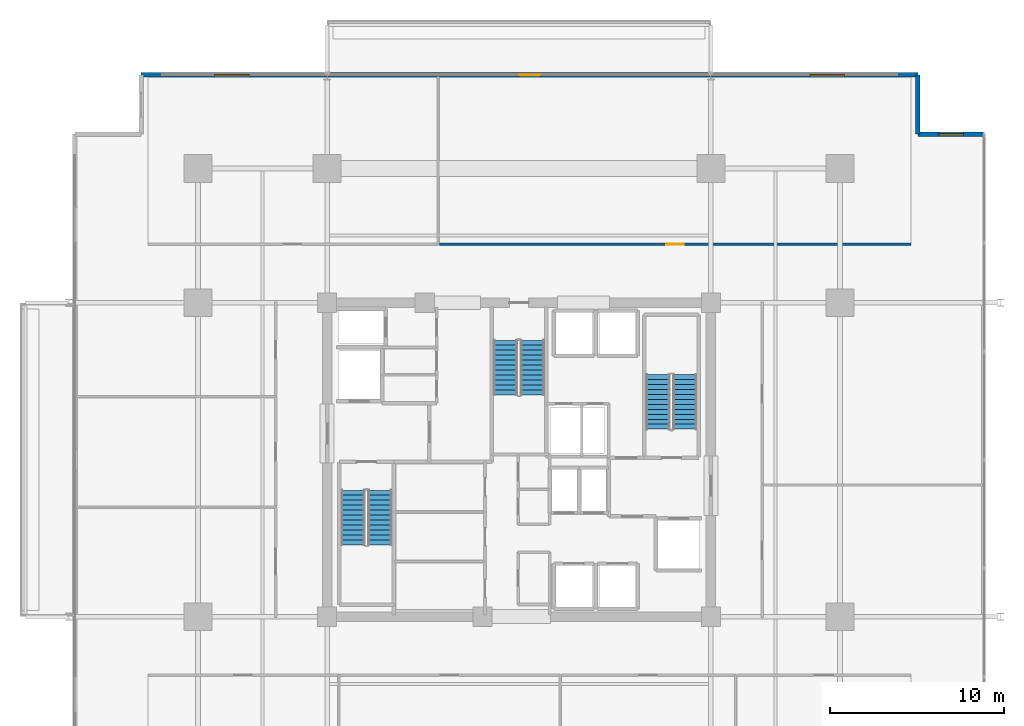
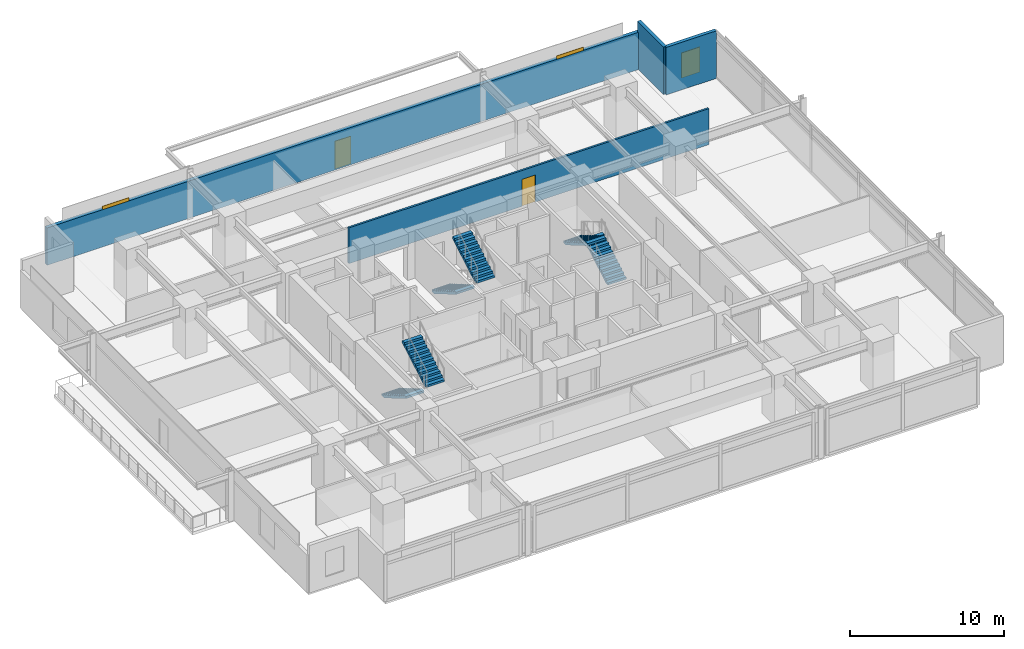
# One storey, part 16 of 20: 6 stair flights, 4 walls, 3 windows, 2 doors, 5 openings, 3 elements without a shape of their own.
"""IFC4 building model written with IfcOpenShell, lengths in metres."""

import ifcopenshell
import ifcopenshell.guid

model = None  # the IFC model being written
_history = None  # IfcOwnerHistory: only IFC2X3 demands one
_inside = {}  # id of a spatial element -> (the spatial element, [elements in it])
_under = {}  # id of a project, library or spatial element -> (it, [spatial elements below it])
_declared = {}  # id of a project -> (the project, [libraries it declares])
_typed = {}  # id of a type object -> (the type object, [elements of that type])
_made_of = {}  # id of a material, layer set ... -> (it, [elements and type objects made of it])


def new_model(schema):
    """Start an empty IFC model of exactly this schema.

    Asked for "IFC4X3", IfcOpenShell would pick the latest addendum, in which some entities
    have other attributes; the version numbers below select the first issue.
    IFC2X3 requires an IfcOwnerHistory on every rooted entity: one is made here for all.
    """
    global model, _history
    if schema == "IFC4X3":
        model = ifcopenshell.file(schema_version=(4, 3, 0, 0))
    else:
        model = ifcopenshell.file(schema=schema)
    _inside.clear()
    _under.clear()
    _declared.clear()
    _typed.clear()
    _made_of.clear()
    _history = None
    if model.schema == "IFC2X3":
        org = make("IfcOrganization", Name="unknown")
        user = make(
            "IfcPersonAndOrganization",
            ThePerson=make("IfcPerson", FamilyName="unknown"),
            TheOrganization=org,
        )
        app = make(
            "IfcApplication",
            ApplicationDeveloper=org,
            Version="unknown",
            ApplicationFullName="unknown",
            ApplicationIdentifier="unknown",
        )
        _history = make(
            "IfcOwnerHistory",
            OwningUser=user,
            OwningApplication=app,
            ChangeAction="ADDED",
            CreationDate=0,
        )
    return model


def make(cls, **values):
    """One entity of the class cls with the attributes given. An attribute that is None is left unset."""
    return model.create_entity(
        cls, **{name: value for name, value in values.items() if value is not None}
    )


def rooted(cls, **values):
    """An entity with a GlobalId (a new one), such as an element, a storey or a relation."""
    return make(cls, GlobalId=ifcopenshell.guid.new(), OwnerHistory=_history, **values)


def si_unit(unit_type, name, prefix=None):
    """IfcSIUnit, for example si_unit("LENGTHUNIT", "METRE", prefix="MILLI")."""
    return make("IfcSIUnit", UnitType=unit_type, Prefix=prefix, Name=name)


def assignment(units):
    """IfcUnitAssignment: the units of a project."""
    return None if units is None else make("IfcUnitAssignment", Units=units)


def point(xyz):
    """IfcCartesianPoint."""
    return None if xyz is None else make("IfcCartesianPoint", Coordinates=xyz)


def direction(xyz):
    """IfcDirection."""
    return None if xyz is None else make("IfcDirection", DirectionRatios=xyz)


def frame(location, z_axis=None, x_axis=None):
    """IfcAxis2Placement3D, a coordinate frame: its origin and axes. An axis left out is left unset."""
    return make(
        "IfcAxis2Placement3D",
        Location=point(location),
        Axis=direction(z_axis),
        RefDirection=direction(x_axis),
    )


def frame_2d(location, x_axis=None):
    """IfcAxis2Placement2D, a coordinate frame in the plane: its origin and x axis."""
    return make(
        "IfcAxis2Placement2D", Location=point(location), RefDirection=direction(x_axis)
    )


def origin():
    """The frame at (0, 0, 0) with its axes left unset."""
    return frame((0.0, 0.0, 0.0))


def place(relative_to, where):
    """IfcLocalPlacement: puts the frame where relative to a parent placement (None: the world)."""
    return make(
        "IfcLocalPlacement", PlacementRelTo=relative_to, RelativePlacement=where
    )


def context(
    kind, dimensions, precision=None, world=None, true_north=None, identifier=None
):
    """IfcGeometricRepresentationContext, for example the 3D "Model" context."""
    return make(
        "IfcGeometricRepresentationContext",
        ContextIdentifier=identifier,
        ContextType=kind,
        CoordinateSpaceDimension=dimensions,
        Precision=precision,
        WorldCoordinateSystem=world,
        TrueNorth=true_north,
    )


def subcontext(parent, identifier, kind, view, scale=None):
    """IfcGeometricRepresentationSubContext, for example "Body" below "Model"."""
    return make(
        "IfcGeometricRepresentationSubContext",
        ContextIdentifier=identifier,
        ContextType=kind,
        ParentContext=parent,
        TargetScale=scale,
        TargetView=view,
    )


def project(units=None, contexts=None):
    """IfcProject with its units and contexts."""
    return rooted(
        "IfcProject",
        Name="project",
        RepresentationContexts=contexts,
        UnitsInContext=assignment(units),
    )


def spatial(cls, under=None, at=None, **own):
    """A site, building, storey or space (cls), placed at a placement, below another one or the project."""
    s = rooted(cls, ObjectPlacement=at, **own)
    if under is not None:
        _under.setdefault(under.id(), (under, []))[1].append(s)
    return s


def polyline(points):
    """IfcPolyline through the points."""
    return make("IfcPolyline", Points=[point(p) for p in points])


def profile(cls, at=None, kind="AREA", **sizes):
    """A parametric profile (cls). Its sizes go by their IFC names, for example OverallWidth=200.0."""
    return make(cls, ProfileType=kind, Position=at, **sizes)


def rectangle(**sizes):
    """IfcRectangleProfileDef."""
    return profile("IfcRectangleProfileDef", **sizes)


def outline(outer, holes=None, kind="AREA"):
    """IfcArbitraryClosedProfileDef: a profile drawn as a closed curve; with holes, ...WithVoids."""
    if holes is None:
        return make("IfcArbitraryClosedProfileDef", ProfileType=kind, OuterCurve=outer)
    return make(
        "IfcArbitraryProfileDefWithVoids",
        ProfileType=kind,
        OuterCurve=outer,
        InnerCurves=holes,
    )


def extrude(swept, where, along, depth):
    """IfcExtrudedAreaSolid: the profile swept, set in the frame where, extruded along a direction by depth."""
    return make(
        "IfcExtrudedAreaSolid",
        SweptArea=swept,
        Position=where,
        ExtrudedDirection=direction(along),
        Depth=depth,
    )


def shape(context_of_items, identifier, shape_type, items):
    """IfcShapeRepresentation: the items that make up one representation, for example the "Body"."""
    return make(
        "IfcShapeRepresentation",
        ContextOfItems=context_of_items,
        RepresentationIdentifier=identifier,
        RepresentationType=shape_type,
        Items=items,
    )


def material(Name=None, Category=None):
    """IfcMaterial."""
    return make("IfcMaterial", Name=Name, Category=Category)


def layer(
    of_material, thickness, ventilated=None, Name=None, Category=None, Priority=None
):
    """IfcMaterialLayer: one layer of a wall or slab, of a material (None: an air gap)."""
    return make(
        "IfcMaterialLayer",
        Material=of_material,
        LayerThickness=thickness,
        IsVentilated=ventilated,
        Name=Name,
        Category=Category,
        Priority=Priority,
    )


def layer_set(layers, Name=None):
    """IfcMaterialLayerSet."""
    return make("IfcMaterialLayerSet", MaterialLayers=layers, LayerSetName=Name)


def made_of(thing, what):
    """Note that an element or type object is made of a material, layer set ...; save() writes the relation."""
    if what is not None:
        _made_of.setdefault(what.id(), (what, []))[1].append(thing)
    return thing


def type_object(cls, material=None, **own):
    """A type object (cls), such as IfcWallType, which elements share."""
    return made_of(rooted(cls, **own), material)


def element(
    cls,
    number,
    at=None,
    inside=None,
    cuts=None,
    type_object=None,
    material=None,
    context=None,
    identifier="Body",
    shape_type=None,
    held_by="IfcProductDefinitionShape",
    body=None,
    shapes=None,
    **own,
):
    """One element of the class cls, such as IfcWall. Its Tag is "e" and its number.

    at: its placement. inside: the storey or other place that contains it. cuts: it is an
    opening in that element (IfcRelVoidsElement). A single representation is given by context,
    identifier, shape_type and body (its items); several are given by shapes. held_by: the class
    of the entity that holds the representations. save() writes the other relations.
    """
    e = rooted(cls, Tag="e%d" % number, ObjectPlacement=at, **own)
    if body is not None:
        shapes = [shape(context, identifier, shape_type, body)]
    if shapes is not None:
        e.Representation = make(held_by, Representations=shapes)
    if inside is not None:
        _inside.setdefault(inside.id(), (inside, []))[1].append(e)
    if cuts is not None:
        rooted(
            "IfcRelVoidsElement", RelatingBuildingElement=cuts, RelatedOpeningElement=e
        )
    if type_object is not None:
        _typed.setdefault(type_object.id(), (type_object, []))[1].append(e)
    return made_of(e, material)


def fill(opening, filler):
    """IfcRelFillsElement: the door or window that sits in an opening."""
    return rooted(
        "IfcRelFillsElement",
        RelatingOpeningElement=opening,
        RelatedBuildingElement=filler,
    )


def aggregate(whole, parts):
    """IfcRelAggregates: a whole, such as a stair, and the parts it consists of."""
    return rooted("IfcRelAggregates", RelatingObject=whole, RelatedObjects=parts)


def save(model, path):
    """Write the relations noted so far, then the file.

    IfcRelAggregates (storeys below a building ...), IfcRelContainedInSpatialStructure (elements
    in a storey), IfcRelDefinesByType, IfcRelAssociatesMaterial and IfcRelDeclares: one each for
    every whole, place, type object, material and project.
    """
    for whole, parts in _under.values():
        aggregate(whole, parts)
    for where, things in _inside.values():
        rooted(
            "IfcRelContainedInSpatialStructure",
            RelatedElements=things,
            RelatingStructure=where,
        )
    for kind, things in _typed.values():
        rooted("IfcRelDefinesByType", RelatedObjects=things, RelatingType=kind)
    for what, things in _made_of.values():
        rooted("IfcRelAssociatesMaterial", RelatedObjects=things, RelatingMaterial=what)
    for by, libraries in _declared.values():
        rooted("IfcRelDeclares", RelatingContext=by, RelatedDefinitions=libraries)
    model.write(path)


model = new_model("IFC4")

# Units and contexts
model_context = context("Model", 3, precision=1e-05, world=origin(), true_north=direction((0.0, 1.0)))
body_context = subcontext(model_context, "Body", "Model", "MODEL_VIEW")
ifc_project = project(units=[si_unit("LENGTHUNIT", "METRE"), si_unit("AREAUNIT", "SQUARE_METRE"), si_unit("VOLUMEUNIT", "CUBIC_METRE"), si_unit("PLANEANGLEUNIT", "RADIAN"), si_unit("MASSUNIT", "GRAM", prefix="KILO")], contexts=[model_context])

# Site, building, storey
site_placement = place(None, origin())
site = spatial("IfcSite", under=ifc_project, at=site_placement, CompositionType="ELEMENT")
building_placement = place(site_placement, origin())
building = spatial("IfcBuilding", under=site, at=building_placement, Name="Kovane Verandah Tower", CompositionType="ELEMENT")
storey_placement = place(building_placement, frame((0.0, 0.0, 160.39990234375)))
storey = spatial("IfcBuildingStorey", under=building, at=storey_placement, Name="L37", CompositionType="ELEMENT", Elevation=160.39990234375)

# Wall, opening, door
ifc_material_1 = material(Name="Fire-Rated Gypsum Stud Partition", Category="gypsum")
ifc_layer_1 = layer(ifc_material_1, 0.14990234375)
ifc_layer_set_1 = layer_set([ifc_layer_1], Name="Fire-Rated Gypsum Stud Partition")
wall_type_1 = type_object("IfcWallType", Name="WL-COR-150", PredefinedType="PARTITIONING", material=ifc_layer_set_1)
wall_1_placement = place(storey_placement, frame((35.428955078125, 39.85009765625, 0.0), z_axis=(0.0, 0.0, 1.0), x_axis=(1.0, 0.0, 0.0)))
wall_1 = element("IfcWall", 1, at=wall_1_placement, inside=storey, type_object=wall_type_1, Name="L37 Breakout Pantry N2 Corridor Partition", PredefinedType="PARTITIONING", context=body_context, shape_type="SweptSolid", body=[
    extrude(rectangle(XDim=27.04345703125, YDim=0.14990234375, at=frame_2d((13.521728515625, 0.0))), origin(), (0.0, 0.0, 1.0), 2.85009765625),
])
opening_1_placement = place(wall_1_placement, frame((13.021728515625, 0.0, 0.0)))
opening_1 = element("IfcOpeningElement", 2, at=opening_1_placement, cuts=wall_1, Name="Opening DR-L37-021", PredefinedType="OPENING", context=body_context, shape_type="SweptSolid", body=[
    extrude(rectangle(XDim=1.0, YDim=2.14990234375, at=frame_2d((0.5, 1.074951171875))), frame((0.0, 0.074951171875, 0.0), z_axis=(0.0, -1.0, 0.0), x_axis=(1.0, 0.0, 0.0)), (0.0, 0.0, 1.0), 0.14990234375),
])
ifc_material_2 = material(Name="FSC Spotted-Gum Timber Fire-Rated Office Door", Category="wood")
door_type_1 = type_object("IfcDoorType", Name="DR-OFF-1000", OperationType="SINGLE_SWING_LEFT", PredefinedType="DOOR", material=ifc_material_2)
door_1_placement = place(opening_1_placement, origin())
door_1 = element("IfcDoor", 3, at=door_1_placement, inside=storey, type_object=door_type_1, Name="L37 Breakout Pantry N2 Entrance Door", OperationType="SINGLE_SWING_LEFT", OverallHeight=2.14990234375, OverallWidth=1.0, PredefinedType="DOOR", context=body_context, shape_type="SweptSolid", body=[
    extrude(rectangle(XDim=1.0, YDim=2.14990234375, at=frame_2d((0.5, 1.074951171875))), frame((0.0, 0.02490234375, 0.0), z_axis=(0.0, -1.0, 0.0), x_axis=(1.0, 0.0, 0.0)), (0.0, 0.0, 1.0), 0.050048828125),
])
fill(opening_1, door_1)

# Wall, openings, door, windows
ifc_material_3 = material(Name="Concrete C45/55 Insulated Spandrel Wall", Category="concrete")
ifc_layer_2 = layer(ifc_material_3, 0.260009765625)
ifc_layer_set_2 = layer_set([ifc_layer_2], Name="Concrete C45/55 Insulated Spandrel Wall")
wall_type_2 = type_object("IfcWallType", Name="WL-SPANDREL-260", PredefinedType="PARAPET", material=ifc_layer_set_2)
wall_2_placement = place(storey_placement, frame((62.872314453125, 49.561279296875, 0.0), z_axis=(0.0, 0.0, 1.0), x_axis=(-1.0, 0.0, 0.0)))
wall_2 = element("IfcWall", 4, at=wall_2_placement, inside=storey, type_object=wall_type_2, Name="L37 N Verandah Access Facade Wall", PredefinedType="PARAPET", context=body_context, shape_type="SweptSolid", body=[
    extrude(rectangle(XDim=44.53125, YDim=0.260009765625, at=frame_2d((22.265625, 0.0))), origin(), (0.0, 0.0, 1.0), 2.97021484375),
])
opening_2_placement = place(wall_2_placement, frame((4.199951171875, 0.0, 0.85009765625)))
opening_2 = element("IfcOpeningElement", 5, at=opening_2_placement, cuts=wall_2, Name="Opening W-04", PredefinedType="OPENING", context=body_context, shape_type="SweptSolid", body=[
    extrude(rectangle(XDim=2.0, YDim=2.300048828125, at=frame_2d((1.0, 1.14990234375))), frame((0.0, 0.1298828125, 0.0), z_axis=(0.0, -1.0, 0.0), x_axis=(1.0, 0.0, 0.0)), (0.0, 0.0, 1.0), 0.260009765625),
])
opening_3_placement = place(wall_2_placement, frame((21.665771484375, 0.0, 0.0)))
opening_3 = element("IfcOpeningElement", 6, at=opening_3_placement, cuts=wall_2, Name="Opening DR-L37-001", PredefinedType="OPENING", context=body_context, shape_type="SweptSolid", body=[
    extrude(rectangle(XDim=1.199951171875, YDim=2.199951171875, at=frame_2d((0.60009765625, 1.10009765625))), frame((0.0, 0.1298828125, 0.0), z_axis=(0.0, -1.0, 0.0), x_axis=(1.0, 0.0, 0.0)), (0.0, 0.0, 1.0), 0.260009765625),
])
opening_4_placement = place(wall_2_placement, frame((38.331298828125, 0.0, 0.85009765625)))
opening_4 = element("IfcOpeningElement", 7, at=opening_4_placement, cuts=wall_2, Name="Opening W-04", PredefinedType="OPENING", context=body_context, shape_type="SweptSolid", body=[
    extrude(rectangle(XDim=2.0, YDim=2.300048828125, at=frame_2d((1.0, 1.14990234375))), frame((0.0, 0.1298828125, 0.0), z_axis=(0.0, -1.0, 0.0), x_axis=(1.0, 0.0, 0.0)), (0.0, 0.0, 1.0), 0.260009765625),
])
ifc_material_4 = material(Name="Cyclone-Rated Glazed Balcony Leaf Door", Category="aluminium")
door_type_2 = type_object("IfcDoorType", Name="DR-BAL-1200x2200", OperationType="SINGLE_SWING_LEFT", PredefinedType="DOOR", material=ifc_material_4)
door_2_placement = place(opening_3_placement, origin())
door_2 = element("IfcDoor", 8, at=door_2_placement, inside=storey, type_object=door_type_2, Name="L37 N Planted Balcony Access Door", OperationType="SINGLE_SWING_LEFT", OverallHeight=2.199951171875, OverallWidth=1.199951171875, PredefinedType="DOOR", context=body_context, shape_type="SweptSolid", body=[
    extrude(rectangle(XDim=1.199951171875, YDim=2.199951171875, at=frame_2d((0.60009765625, 1.10009765625))), frame((0.0, 0.02490234375, 0.0), z_axis=(0.0, -1.0, 0.0), x_axis=(1.0, 0.0, 0.0)), (0.0, 0.0, 1.0), 0.050048828125),
])
fill(opening_3, door_2)
ifc_material_5 = material(Name="Clear Low-E Laminated Double Glazing in Anodised Frame", Category="glass")
window_type_1 = type_object("IfcWindowType", Name="WN-FIXED-2000x2300", PartitioningType="SINGLE_PANEL", PredefinedType="WINDOW", material=ifc_material_5)
window_1_placement = place(opening_2_placement, origin())
window_1 = element("IfcWindow", 9, at=window_1_placement, inside=storey, type_object=window_type_1, Name="L37 N Verandah View Window 1", OverallHeight=2.300048828125, OverallWidth=2.0, PartitioningType="SINGLE_PANEL", PredefinedType="WINDOW", context=body_context, shape_type="SweptSolid", body=[
    extrude(rectangle(XDim=2.0, YDim=2.300048828125, at=frame_2d((1.0, 1.14990234375))), frame((0.0, 0.030029296875, 0.0), z_axis=(0.0, -1.0, 0.0), x_axis=(1.0, 0.0, 0.0)), (0.0, 0.0, 1.0), 0.06005859375),
])
fill(opening_2, window_1)
window_2_placement = place(opening_4_placement, origin())
window_2 = element("IfcWindow", 10, at=window_2_placement, inside=storey, type_object=window_type_1, Name="L37 N Verandah View Window 2", OverallHeight=2.300048828125, OverallWidth=2.0, PartitioningType="SINGLE_PANEL", PredefinedType="WINDOW", context=body_context, shape_type="SweptSolid", body=[
    extrude(rectangle(XDim=2.0, YDim=2.300048828125, at=frame_2d((1.0, 1.14990234375))), frame((0.0, 0.030029296875, 0.0), z_axis=(0.0, -1.0, 0.0), x_axis=(1.0, 0.0, 0.0)), (0.0, 0.0, 1.0), 0.06005859375),
])
fill(opening_4, window_2)

# Wall, opening, window
wall_3_placement = place(storey_placement, frame((66.67236328125, 46.161376953125, 0.0), z_axis=(0.0, 0.0, 1.0), x_axis=(-1.0, 0.0, 0.0)))
wall_3 = element("IfcWall", 11, at=wall_3_placement, inside=storey, type_object=wall_type_2, Name="L37 NE Notch Cheek Wall 1", PredefinedType="PARAPET", context=body_context, shape_type="SweptSolid", body=[
    extrude(rectangle(XDim=3.800048828125, YDim=0.260009765625, at=frame_2d((1.89990234375, 0.0))), origin(), (0.0, 0.0, 1.0), 3.775146484375),
])
opening_5_placement = place(wall_3_placement, frame((1.199951171875, 0.0, 0.85009765625)))
opening_5 = element("IfcOpeningElement", 12, at=opening_5_placement, cuts=wall_3, Name="Opening W-01", PredefinedType="OPENING", context=body_context, shape_type="SweptSolid", body=[
    extrude(rectangle(XDim=1.39990234375, YDim=2.0, at=frame_2d((0.699951171875, 1.0))), frame((0.0, 0.1298828125, 0.0), z_axis=(0.0, -1.0, 0.0), x_axis=(1.0, 0.0, 0.0)), (0.0, 0.0, 1.0), 0.260009765625),
])
window_type_2 = type_object("IfcWindowType", Name="WN-OPER-1400x2000", PartitioningType="SINGLE_PANEL", PredefinedType="WINDOW", material=ifc_material_5)
window_3_placement = place(opening_5_placement, origin())
window_3 = element("IfcWindow", 13, at=window_3_placement, inside=storey, type_object=window_type_2, Name="L37 NE Re-Entrant Corner Operable Window", OverallHeight=2.0, OverallWidth=1.39990234375, PartitioningType="SINGLE_PANEL", PredefinedType="WINDOW", context=body_context, shape_type="SweptSolid", body=[
    extrude(rectangle(XDim=1.39990234375, YDim=2.0, at=frame_2d((0.699951171875, 1.0))), frame((0.0, 0.030029296875, 0.0), z_axis=(0.0, -1.0, 0.0), x_axis=(1.0, 0.0, 0.0)), (0.0, 0.0, 1.0), 0.06005859375),
])
fill(opening_5, window_3)

# Wall
wall_4_placement = place(storey_placement, frame((62.872314453125, 46.161376953125, 0.0), z_axis=(0.0, 0.0, 1.0), x_axis=(0.0, 1.0, 0.0)))
element("IfcWall", 14, at=wall_4_placement, inside=storey, type_object=wall_type_2, Name="L37 NE Notch Cheek Wall 2", PredefinedType="PARAPET", context=body_context, shape_type="SweptSolid", body=[
    extrude(rectangle(XDim=3.39990234375, YDim=0.260009765625, at=frame_2d((1.699951171875, 0.0))), origin(), (0.0, 0.0, 1.0), 3.775146484375),
])

# Stair, stair flights
ifc_material_6 = material(Name="Concrete C45/55", Category="concrete")
stair_type = type_object("IfcStairType", Name="ST-CORE-1380", PredefinedType="HALF_TURN_STAIR", material=ifc_material_6)
stair_1_placement = place(storey_placement, origin())
stair_1 = element("IfcStair", 15, at=stair_1_placement, inside=storey, type_object=stair_type, Name="L37 Exit Stair ST-01", PredefinedType="HALF_TURN_STAIR")
stair_flight_type = type_object("IfcStairFlightType", Name="STF-CORE-1380", PredefinedType="STRAIGHT", material=ifc_material_6)
stair_flight_1_placement = place(storey_placement, frame((30.489990234375, 25.75, 0.0), z_axis=(0.0, 0.0, 1.0), x_axis=(0.0, -1.0, 0.0)))
stair_flight_1 = element("IfcStairFlight", 16, at=stair_flight_1_placement, type_object=stair_flight_type, Name="ST-01 flight 1", NumberOfRisers=12, NumberOfTreads=11, PredefinedType="STRAIGHT", RiserHeight=0.166666667, TreadLength=0.285, context=body_context, shape_type="SweptSolid", body=[
    extrude(outline(polyline([(0.0, 0.0), (0.0, 0.166748046875), (0.284912109375, 0.166748046875), (0.284912109375, 0.333251953125), (0.570068359375, 0.333251953125), (0.570068359375, 0.5), (0.85498046875, 0.5), (0.85498046875, 0.666748046875), (1.139892578125, 0.666748046875), (1.139892578125, 0.833251953125), (1.425048828125, 0.833251953125), (1.425048828125, 1.0), (1.7099609375, 1.0), (1.7099609375, 1.166748046875), (1.9951171875, 1.166748046875), (1.9951171875, 1.333251953125), (2.280029296875, 1.333251953125), (2.280029296875, 1.5), (2.56494140625, 1.5), (2.56494140625, 1.666748046875), (2.85009765625, 1.666748046875), (2.85009765625, 1.833251953125), (3.135009765625, 1.833251953125), (3.135009765625, 2.0), (3.135009765625, 1.65966796875), (0.296875, 0.0), (0.0, 0.0)])), frame((0.0, 0.68994140625, 0.0), z_axis=(0.0, -1.0, 0.0), x_axis=(1.0, 0.0, 0.0)), (0.0, 0.0, 1.0), 1.3798828125),
])
stair_flight_2_placement = place(storey_placement, frame((32.030029296875, 22.614990234375, 2.0), z_axis=(0.0, 0.0, 1.0), x_axis=(0.0, 1.0, 0.0)))
stair_flight_2 = element("IfcStairFlight", 17, at=stair_flight_2_placement, type_object=stair_flight_type, Name="ST-01 flight 2", NumberOfRisers=12, NumberOfTreads=11, PredefinedType="STRAIGHT", RiserHeight=0.166666667, TreadLength=0.285, context=body_context, shape_type="SweptSolid", body=[
    extrude(outline(polyline([(0.0, 0.0), (0.0, 0.166748046875), (0.284912109375, 0.166748046875), (0.284912109375, 0.333251953125), (0.570068359375, 0.333251953125), (0.570068359375, 0.5), (0.85498046875, 0.5), (0.85498046875, 0.666748046875), (1.139892578125, 0.666748046875), (1.139892578125, 0.833251953125), (1.425048828125, 0.833251953125), (1.425048828125, 1.0), (1.7099609375, 1.0), (1.7099609375, 1.166748046875), (1.9951171875, 1.166748046875), (1.9951171875, 1.333251953125), (2.280029296875, 1.333251953125), (2.280029296875, 1.5), (2.56494140625, 1.5), (2.56494140625, 1.666748046875), (2.85009765625, 1.666748046875), (2.85009765625, 1.833251953125), (3.135009765625, 1.833251953125), (3.135009765625, 2.0), (3.135009765625, 1.65966796875), (0.296875, 0.0), (0.0, 0.0)])), frame((0.0, 0.68994140625, 0.0), z_axis=(0.0, -1.0, 0.0), x_axis=(1.0, 0.0, 0.0)), (0.0, 0.0, 1.0), 1.3798828125),
])
aggregate(stair_1, [stair_flight_1, stair_flight_2])

stair_2_placement = place(storey_placement, origin())
stair_2 = element("IfcStair", 18, at=stair_2_placement, inside=storey, type_object=stair_type, Name="L37 Exit Stair ST-02", PredefinedType="HALF_TURN_STAIR")
stair_flight_3_placement = place(storey_placement, frame((49.510009765625, 29.25, 0.0), z_axis=(0.0, 0.0, 1.0), x_axis=(0.0, 1.0, 0.0)))
stair_flight_3 = element("IfcStairFlight", 19, at=stair_flight_3_placement, type_object=stair_flight_type, Name="ST-02 flight 1", NumberOfRisers=12, NumberOfTreads=11, PredefinedType="STRAIGHT", RiserHeight=0.166666667, TreadLength=0.285, context=body_context, shape_type="SweptSolid", body=[
    extrude(outline(polyline([(0.0, 0.0), (0.0, 0.166748046875), (0.284912109375, 0.166748046875), (0.284912109375, 0.333251953125), (0.570068359375, 0.333251953125), (0.570068359375, 0.5), (0.85498046875, 0.5), (0.85498046875, 0.666748046875), (1.139892578125, 0.666748046875), (1.139892578125, 0.833251953125), (1.425048828125, 0.833251953125), (1.425048828125, 1.0), (1.7099609375, 1.0), (1.7099609375, 1.166748046875), (1.9951171875, 1.166748046875), (1.9951171875, 1.333251953125), (2.280029296875, 1.333251953125), (2.280029296875, 1.5), (2.56494140625, 1.5), (2.56494140625, 1.666748046875), (2.85009765625, 1.666748046875), (2.85009765625, 1.833251953125), (3.135009765625, 1.833251953125), (3.135009765625, 2.0), (3.135009765625, 1.65966796875), (0.296875, 0.0), (0.0, 0.0)])), frame((0.0, 0.68994140625, 0.0), z_axis=(0.0, -1.0, 0.0), x_axis=(1.0, 0.0, 0.0)), (0.0, 0.0, 1.0), 1.3798828125),
])
stair_flight_4_placement = place(storey_placement, frame((47.969970703125, 32.385009765625, 2.0), z_axis=(0.0, 0.0, 1.0), x_axis=(0.0, -1.0, 0.0)))
stair_flight_4 = element("IfcStairFlight", 20, at=stair_flight_4_placement, type_object=stair_flight_type, Name="ST-02 flight 2", NumberOfRisers=12, NumberOfTreads=11, PredefinedType="STRAIGHT", RiserHeight=0.166666667, TreadLength=0.285, context=body_context, shape_type="SweptSolid", body=[
    extrude(outline(polyline([(0.0, 0.0), (0.0, 0.166748046875), (0.284912109375, 0.166748046875), (0.284912109375, 0.333251953125), (0.570068359375, 0.333251953125), (0.570068359375, 0.5), (0.85498046875, 0.5), (0.85498046875, 0.666748046875), (1.139892578125, 0.666748046875), (1.139892578125, 0.833251953125), (1.425048828125, 0.833251953125), (1.425048828125, 1.0), (1.7099609375, 1.0), (1.7099609375, 1.166748046875), (1.9951171875, 1.166748046875), (1.9951171875, 1.333251953125), (2.280029296875, 1.333251953125), (2.280029296875, 1.5), (2.56494140625, 1.5), (2.56494140625, 1.666748046875), (2.85009765625, 1.666748046875), (2.85009765625, 1.833251953125), (3.135009765625, 1.833251953125), (3.135009765625, 2.0), (3.135009765625, 1.65966796875), (0.296875, 0.0), (0.0, 0.0)])), frame((0.0, 0.68994140625, 0.0), z_axis=(0.0, -1.0, 0.0), x_axis=(1.0, 0.0, 0.0)), (0.0, 0.0, 1.0), 1.3798828125),
])
aggregate(stair_2, [stair_flight_3, stair_flight_4])

stair_3_placement = place(storey_placement, origin())
stair_3 = element("IfcStair", 21, at=stair_3_placement, inside=storey, type_object=stair_type, Name="L37 Exit Stair ST-03", PredefinedType="HALF_TURN_STAIR")
stair_flight_5_placement = place(storey_placement, frame((39.22998046875, 34.35009765625, 0.0), z_axis=(0.0, 0.0, 1.0), x_axis=(0.0, -1.0, 0.0)))
stair_flight_5 = element("IfcStairFlight", 22, at=stair_flight_5_placement, type_object=stair_flight_type, Name="ST-03 flight 1", NumberOfRisers=12, NumberOfTreads=11, PredefinedType="STRAIGHT", RiserHeight=0.166666667, TreadLength=0.285, context=body_context, shape_type="SweptSolid", body=[
    extrude(outline(polyline([(0.0, 0.0), (0.0, 0.166748046875), (0.284912109375, 0.166748046875), (0.284912109375, 0.333251953125), (0.570068359375, 0.333251953125), (0.570068359375, 0.5), (0.85498046875, 0.5), (0.85498046875, 0.666748046875), (1.139892578125, 0.666748046875), (1.139892578125, 0.833251953125), (1.425048828125, 0.833251953125), (1.425048828125, 1.0), (1.7099609375, 1.0), (1.7099609375, 1.166748046875), (1.9951171875, 1.166748046875), (1.9951171875, 1.333251953125), (2.280029296875, 1.333251953125), (2.280029296875, 1.5), (2.56494140625, 1.5), (2.56494140625, 1.666748046875), (2.85009765625, 1.666748046875), (2.85009765625, 1.833251953125), (3.135009765625, 1.833251953125), (3.135009765625, 2.0), (3.135009765625, 1.65966796875), (0.296875, 0.0), (0.0, 0.0)])), frame((0.0, 0.68994140625, 0.0), z_axis=(0.0, -1.0, 0.0), x_axis=(1.0, 0.0, 0.0)), (0.0, 0.0, 1.0), 1.3798828125),
])
stair_flight_6_placement = place(storey_placement, frame((40.77001953125, 31.215087890625, 2.0), z_axis=(0.0, 0.0, 1.0), x_axis=(0.0, 1.0, 0.0)))
stair_flight_6 = element("IfcStairFlight", 23, at=stair_flight_6_placement, type_object=stair_flight_type, Name="ST-03 flight 2", NumberOfRisers=12, NumberOfTreads=11, PredefinedType="STRAIGHT", RiserHeight=0.166666667, TreadLength=0.285, context=body_context, shape_type="SweptSolid", body=[
    extrude(outline(polyline([(0.0, 0.0), (0.0, 0.166748046875), (0.284912109375, 0.166748046875), (0.284912109375, 0.333251953125), (0.570068359375, 0.333251953125), (0.570068359375, 0.5), (0.85498046875, 0.5), (0.85498046875, 0.666748046875), (1.139892578125, 0.666748046875), (1.139892578125, 0.833251953125), (1.425048828125, 0.833251953125), (1.425048828125, 1.0), (1.7099609375, 1.0), (1.7099609375, 1.166748046875), (1.9951171875, 1.166748046875), (1.9951171875, 1.333251953125), (2.280029296875, 1.333251953125), (2.280029296875, 1.5), (2.56494140625, 1.5), (2.56494140625, 1.666748046875), (2.85009765625, 1.666748046875), (2.85009765625, 1.833251953125), (3.135009765625, 1.833251953125), (3.135009765625, 2.0), (3.135009765625, 1.65966796875), (0.296875, 0.0), (0.0, 0.0)])), frame((0.0, 0.68994140625, 0.0), z_axis=(0.0, -1.0, 0.0), x_axis=(1.0, 0.0, 0.0)), (0.0, 0.0, 1.0), 1.3798828125),
])
aggregate(stair_3, [stair_flight_5, stair_flight_6])

save(model, "model.ifc")
